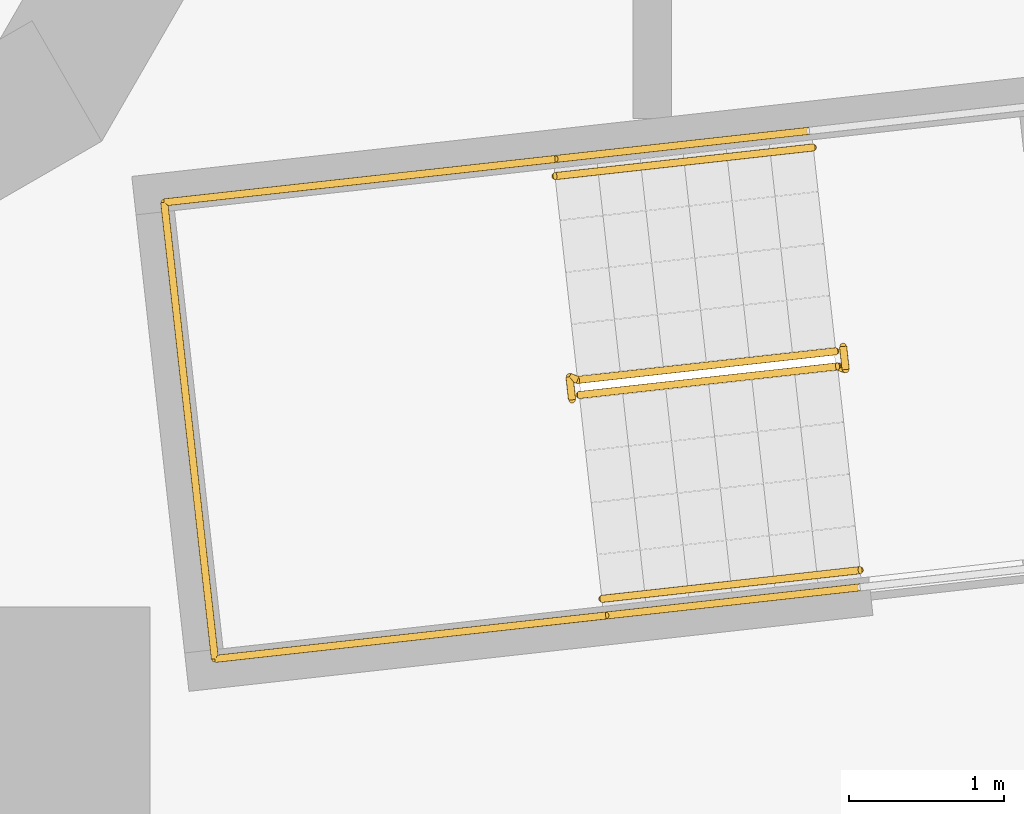
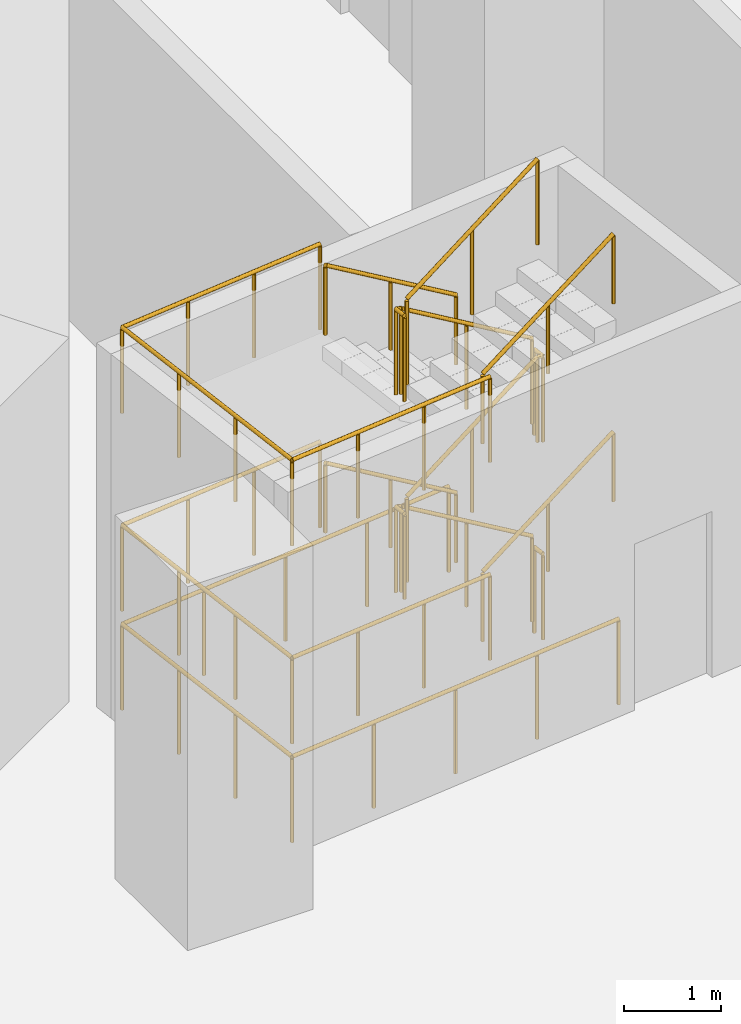
# One storey, part 14 of 20: 12 railings.
"""IFC4 building model written with IfcOpenShell, lengths in metres."""

from ifc_helpers import new_model, si_unit, direction, frame, origin, origin_2d, place, context, subcontext, project, spatial, circle, extrude, material, type_object, element, save


model = new_model("IFC4")

# Units and contexts
model_context = context("Model", 3, precision=1e-05, world=origin(), true_north=direction((0.0, 1.0)))
body_context = subcontext(model_context, "Body", "Model", "MODEL_VIEW")
ifc_project = project(units=[si_unit("LENGTHUNIT", "METRE"), si_unit("AREAUNIT", "SQUARE_METRE"), si_unit("VOLUMEUNIT", "CUBIC_METRE"), si_unit("PLANEANGLEUNIT", "RADIAN"), si_unit("MASSUNIT", "GRAM", prefix="KILO")], contexts=[model_context])

# Site, building, storey
site_placement = place(None, origin())
site = spatial("IfcSite", under=ifc_project, at=site_placement, CompositionType="ELEMENT")
building_placement = place(site_placement, origin())
building = spatial("IfcBuilding", under=site, at=building_placement, Name="Cantera Rosa Tower", CompositionType="ELEMENT")
storey_placement = place(building_placement, frame((0.0, 0.0, -5.0)))
storey = spatial("IfcBuildingStorey", under=building, at=storey_placement, Name="B1", CompositionType="ELEMENT", Elevation=-5.0)

# Railings
ifc_material_1 = material(Name="Steel S355J2 (EN 10025-2)", Category="steel")
railing_type_1 = type_object("IfcRailingType", Name="STAIR GUARD 1100", PredefinedType="GUARDRAIL", material=ifc_material_1)
railing_1_placement = place(storey_placement, frame((13.5859375, -10.19677734375, 0.178466796875)))
element("IfcRailing", 1, at=railing_1_placement, inside=storey, type_object=railing_type_1, Name="B1 ST-14 stair guard 1", PredefinedType="GUARDRAIL", context=body_context, shape_type="SweptSolid", body=[
    extrude(circle(Radius=0.02392578125, at=origin_2d()), frame((0.0, 0.0, 1.076171875), z_axis=(-0.837950904326, -0.092996744609, 0.537763784046), x_axis=(0.110303920128, -0.993897904819, 0.0)), (0.0, 0.0, 1.0), 1.99267578125),
    extrude(circle(Radius=0.02392578125, at=origin_2d()), frame((-1.669677734375, -0.185302734375, 2.1474609375), z_axis=(-0.932897555956, 0.360141847183, 0.0), x_axis=(-0.360141847183, -0.932897555956, 0.0)), (0.0, 0.0, 1.0), 0.05615234375),
    extrude(circle(Radius=0.02392578125, at=origin_2d()), frame((-1.72216796875, -0.1650390625, 2.1474609375), z_axis=(0.110610055588, -0.993863881828, 0.0), x_axis=(0.993863881828, 0.110610055588, 0.0)), (0.0, 0.0, 1.0), 0.150146484375),
    extrude(circle(Radius=0.02099609375, at=origin_2d()), origin(), (0.0, 0.0, 1.0), 1.052001953125),
    extrude(circle(Radius=0.02099609375, at=origin_2d()), frame((-0.8349609375, -0.0927734375, 0.53564453125)), (0.0, 0.0, 1.0), 1.052001953125),
    extrude(circle(Radius=0.02099609375, at=origin_2d()), frame((-1.669677734375, -0.185302734375, 1.071533203125)), (0.0, 0.0, 1.0), 1.052001953125),
    extrude(circle(Radius=0.02099609375, at=origin_2d()), frame((-1.72216796875, -0.1650390625, 1.071533203125)), (0.0, 0.0, 1.0), 1.052001953125),
    extrude(circle(Radius=0.02099609375, at=origin_2d()), frame((-1.70556640625, -0.314208984375, 1.071533203125)), (0.0, 0.0, 1.0), 1.052001953125),
])
railing_2_placement = place(storey_placement, frame((11.927001953125, -10.4794921875, 1.428466796875)))
element("IfcRailing", 2, at=railing_2_placement, inside=storey, type_object=railing_type_1, Name="B1 ST-14 stair guard 2", PredefinedType="GUARDRAIL", context=body_context, shape_type="SweptSolid", body=[
    extrude(circle(Radius=0.02392578125, at=origin_2d()), frame((0.0, 0.0, 1.076171875), z_axis=(0.837987391448, 0.092987197384, 0.537708576179), x_axis=(-0.11028798999, 0.993899672635, 0.0)), (0.0, 0.0, 1.0), 1.99267578125),
    extrude(circle(Radius=0.02392578125, at=origin_2d()), frame((1.669921875, 0.185302734375, 2.1474609375), z_axis=(0.931434406233, -0.363909256389, 0.0), x_axis=(0.363909256389, 0.931434406233, 0.0)), (0.0, 0.0, 1.0), 0.056396484375),
    extrude(circle(Radius=0.02392578125, at=origin_2d()), frame((1.722412109375, 0.164794921875, 2.1474609375), z_axis=(-0.110610055588, 0.993863881828, 0.0), x_axis=(-0.993863881828, -0.110610055588, 0.0)), (0.0, 0.0, 1.0), 0.150146484375),
    extrude(circle(Radius=0.02099609375, at=origin_2d()), origin(), (0.0, 0.0, 1.0), 1.052001953125),
    extrude(circle(Radius=0.02099609375, at=origin_2d()), frame((0.8349609375, 0.0927734375, 0.53564453125)), (0.0, 0.0, 1.0), 1.052001953125),
    extrude(circle(Radius=0.02099609375, at=origin_2d()), frame((1.669921875, 0.185302734375, 1.071533203125)), (0.0, 0.0, 1.0), 1.052001953125),
    extrude(circle(Radius=0.02099609375, at=origin_2d()), frame((1.722412109375, 0.164794921875, 1.071533203125)), (0.0, 0.0, 1.0), 1.052001953125),
    extrude(circle(Radius=0.02099609375, at=origin_2d()), frame((1.705810546875, 0.31396484375, 1.071533203125)), (0.0, 0.0, 1.0), 1.052001953125),
])
railing_3_placement = place(storey_placement, frame((13.5859375, -10.19677734375, 2.678466796875)))
element("IfcRailing", 3, at=railing_3_placement, inside=storey, type_object=railing_type_1, Name="B1 ST-14 stair guard 3", PredefinedType="GUARDRAIL", context=body_context, shape_type="SweptSolid", body=[
    extrude(circle(Radius=0.02392578125, at=origin_2d()), frame((0.0, 0.0, 1.076171875), z_axis=(-0.837950904326, -0.092996744609, 0.537763784046), x_axis=(0.110303920128, -0.993897904819, 0.0)), (0.0, 0.0, 1.0), 1.99267578125),
    extrude(circle(Radius=0.02392578125, at=origin_2d()), frame((-1.669677734375, -0.185302734375, 2.1474609375), z_axis=(-0.932897555956, 0.360141847183, 0.0), x_axis=(-0.360141847183, -0.932897555956, 0.0)), (0.0, 0.0, 1.0), 0.05615234375),
    extrude(circle(Radius=0.02392578125, at=origin_2d()), frame((-1.72216796875, -0.1650390625, 2.1474609375), z_axis=(0.110610055588, -0.993863881828, 0.0), x_axis=(0.993863881828, 0.110610055588, 0.0)), (0.0, 0.0, 1.0), 0.150146484375),
    extrude(circle(Radius=0.02099609375, at=origin_2d()), origin(), (0.0, 0.0, 1.0), 1.052001953125),
    extrude(circle(Radius=0.02099609375, at=origin_2d()), frame((-0.8349609375, -0.0927734375, 0.53564453125)), (0.0, 0.0, 1.0), 1.052001953125),
    extrude(circle(Radius=0.02099609375, at=origin_2d()), frame((-1.669677734375, -0.185302734375, 1.071533203125)), (0.0, 0.0, 1.0), 1.052001953125),
    extrude(circle(Radius=0.02099609375, at=origin_2d()), frame((-1.72216796875, -0.1650390625, 1.071533203125)), (0.0, 0.0, 1.0), 1.052001953125),
    extrude(circle(Radius=0.02099609375, at=origin_2d()), frame((-1.70556640625, -0.314208984375, 1.071533203125)), (0.0, 0.0, 1.0), 1.052001953125),
])
railing_4_placement = place(storey_placement, frame((11.927001953125, -10.4794921875, 3.928466796875)))
element("IfcRailing", 4, at=railing_4_placement, inside=storey, type_object=railing_type_1, Name="B1 ST-14 stair guard 4", PredefinedType="GUARDRAIL", context=body_context, shape_type="SweptSolid", body=[
    extrude(circle(Radius=0.02392578125, at=origin_2d()), frame((0.0, 0.0, 1.076171875), z_axis=(0.837987391448, 0.092987197384, 0.537708576179), x_axis=(-0.11028798999, 0.993899672635, 0.0)), (0.0, 0.0, 1.0), 1.99267578125),
    extrude(circle(Radius=0.02099609375, at=origin_2d()), origin(), (0.0, 0.0, 1.0), 1.052001953125),
    extrude(circle(Radius=0.02099609375, at=origin_2d()), frame((0.8349609375, 0.0927734375, 0.53564453125)), (0.0, 0.0, 1.0), 1.052001953125),
    extrude(circle(Radius=0.02099609375, at=origin_2d()), frame((1.669921875, 0.185302734375, 1.071533203125)), (0.0, 0.0, 1.0), 1.052001953125),
])
railing_5_placement = place(storey_placement, frame((13.6328125, -10.16552734375, 0.0)))
element("IfcRailing", 5, at=railing_5_placement, inside=storey, type_object=railing_type_1, Name="B1 ST-14 stair guard 5", PredefinedType="GUARDRAIL", context=body_context, shape_type="SweptSolid", body=[
    extrude(circle(Radius=0.02392578125, at=origin_2d()), frame((0.0, 0.0, 1.076171875), z_axis=(0.110610055588, -0.993863881828, 0.0), x_axis=(0.993863881828, 0.110610055588, 0.0)), (0.0, 0.0, 1.0), 0.150146484375),
    extrude(circle(Radius=0.02099609375, at=origin_2d()), origin(), (0.0, 0.0, 1.0), 1.052001953125),
    extrude(circle(Radius=0.02099609375, at=origin_2d()), frame((0.0166015625, -0.149169921875, 0.0)), (0.0, 0.0, 1.0), 1.052001953125),
])
railing_6_placement = place(storey_placement, frame((13.415771484375, -8.77099609375, 0.0)))
element("IfcRailing", 6, at=railing_6_placement, inside=storey, type_object=railing_type_1, Name="B1 ST-14 stair guard 6", PredefinedType="GUARDRAIL", context=body_context, shape_type="SweptSolid", body=[
    extrude(circle(Radius=0.02392578125, at=origin_2d()), frame((0.0, 0.0, 1.076171875), z_axis=(-0.9938957856, -0.110323013767, 0.0), x_axis=(0.110323013767, -0.9938957856, 0.0)), (0.0, 0.0, 1.0), 4.197998046875),
    extrude(circle(Radius=0.02392578125, at=origin_2d()), frame((-4.17236328125, -0.463134765625, 1.076171875), z_axis=(0.110314237986, -0.993896759678, 0.0), x_axis=(0.993896759678, 0.110314237986, 0.0)), (0.0, 0.0, 1.0), 2.969970703125),
    extrude(circle(Radius=0.02392578125, at=origin_2d()), frame((-3.8447265625, -3.4150390625, 1.076171875), z_axis=(0.9938957856, 0.110323013767, 0.0), x_axis=(-0.110323013767, 0.9938957856, 0.0)), (0.0, 0.0, 1.0), 4.197998046875),
    extrude(circle(Radius=0.02099609375, at=origin_2d()), origin(), (0.0, 0.0, 1.0), 1.052001953125),
    extrude(circle(Radius=0.02099609375, at=origin_2d()), frame((-1.04296875, -0.11572265625, 0.0)), (0.0, 0.0, 1.0), 1.052001953125),
    extrude(circle(Radius=0.02099609375, at=origin_2d()), frame((-2.086181640625, -0.2314453125, 0.0)), (0.0, 0.0, 1.0), 1.052001953125),
    extrude(circle(Radius=0.02099609375, at=origin_2d()), frame((-3.12939453125, -0.347412109375, 0.0)), (0.0, 0.0, 1.0), 1.052001953125),
    extrude(circle(Radius=0.02099609375, at=origin_2d()), frame((-4.17236328125, -0.463134765625, 0.0)), (0.0, 0.0, 1.0), 1.052001953125),
    extrude(circle(Radius=0.02099609375, at=origin_2d()), frame((-4.063232421875, -1.447021484375, 0.0)), (0.0, 0.0, 1.0), 1.052001953125),
    extrude(circle(Radius=0.02099609375, at=origin_2d()), frame((-3.953857421875, -2.43115234375, 0.0)), (0.0, 0.0, 1.0), 1.052001953125),
    extrude(circle(Radius=0.02099609375, at=origin_2d()), frame((-3.8447265625, -3.4150390625, 0.0)), (0.0, 0.0, 1.0), 1.052001953125),
    extrude(circle(Radius=0.02099609375, at=origin_2d()), frame((-2.8017578125, -3.29931640625, 0.0)), (0.0, 0.0, 1.0), 1.052001953125),
    extrude(circle(Radius=0.02099609375, at=origin_2d()), frame((-1.758544921875, -3.18359375, 0.0)), (0.0, 0.0, 1.0), 1.052001953125),
    extrude(circle(Radius=0.02099609375, at=origin_2d()), frame((-0.71533203125, -3.067626953125, 0.0)), (0.0, 0.0, 1.0), 1.052001953125),
    extrude(circle(Radius=0.02099609375, at=origin_2d()), frame((0.32763671875, -2.951904296875, 0.0)), (0.0, 0.0, 1.0), 1.052001953125),
])
railing_7_placement = place(storey_placement, frame((11.769775390625, -8.95361328125, 1.25)))
element("IfcRailing", 7, at=railing_7_placement, inside=storey, type_object=railing_type_1, Name="B1 ST-14 stair guard 7", PredefinedType="GUARDRAIL", context=body_context, shape_type="SweptSolid", body=[
    extrude(circle(Radius=0.02392578125, at=origin_2d()), frame((0.0, 0.0, 1.076171875), z_axis=(-0.993891931048, -0.110357733743, 0.0), x_axis=(0.110357733743, -0.993891931048, 0.0)), (0.0, 0.0, 1.0), 2.5419921875),
    extrude(circle(Radius=0.02392578125, at=origin_2d()), frame((-2.5263671875, -0.280517578125, 1.076171875), z_axis=(0.110314237986, -0.993896759678, 0.0), x_axis=(0.993896759678, 0.110314237986, 0.0)), (0.0, 0.0, 1.0), 2.969970703125),
    extrude(circle(Radius=0.02392578125, at=origin_2d()), frame((-2.19873046875, -3.232421875, 1.076171875), z_axis=(0.993891931048, 0.110357733743, 0.0), x_axis=(-0.110357733743, 0.993891931048, 0.0)), (0.0, 0.0, 1.0), 2.5419921875),
    extrude(circle(Radius=0.02099609375, at=origin_2d()), origin(), (0.0, 0.0, 1.0), 1.052001953125),
    extrude(circle(Radius=0.02099609375, at=origin_2d()), frame((-0.842041015625, -0.093505859375, 0.0)), (0.0, 0.0, 1.0), 1.052001953125),
    extrude(circle(Radius=0.02099609375, at=origin_2d()), frame((-1.684326171875, -0.18701171875, 0.0)), (0.0, 0.0, 1.0), 1.052001953125),
    extrude(circle(Radius=0.02099609375, at=origin_2d()), frame((-2.5263671875, -0.280517578125, 0.0)), (0.0, 0.0, 1.0), 1.052001953125),
    extrude(circle(Radius=0.02099609375, at=origin_2d()), frame((-2.417236328125, -1.264404296875, 0.0)), (0.0, 0.0, 1.0), 1.052001953125),
    extrude(circle(Radius=0.02099609375, at=origin_2d()), frame((-2.307861328125, -2.24853515625, 0.0)), (0.0, 0.0, 1.0), 1.052001953125),
    extrude(circle(Radius=0.02099609375, at=origin_2d()), frame((-2.19873046875, -3.232421875, 0.0)), (0.0, 0.0, 1.0), 1.052001953125),
    extrude(circle(Radius=0.02099609375, at=origin_2d()), frame((-1.356689453125, -3.138916015625, 0.0)), (0.0, 0.0, 1.0), 1.052001953125),
    extrude(circle(Radius=0.02099609375, at=origin_2d()), frame((-0.514404296875, -3.04541015625, 0.0)), (0.0, 0.0, 1.0), 1.052001953125),
    extrude(circle(Radius=0.02099609375, at=origin_2d()), frame((0.32763671875, -2.951904296875, 0.0)), (0.0, 0.0, 1.0), 1.052001953125),
])
railing_8_placement = place(storey_placement, frame((11.769775390625, -8.95361328125, 3.75)))
element("IfcRailing", 8, at=railing_8_placement, inside=storey, type_object=railing_type_1, Name="B1 ST-14 stair guard 9", PredefinedType="GUARDRAIL", context=body_context, shape_type="SweptSolid", body=[
    extrude(circle(Radius=0.02392578125, at=origin_2d()), frame((0.0, 0.0, 1.076171875), z_axis=(-0.993891931048, -0.110357733743, 0.0), x_axis=(0.110357733743, -0.993891931048, 0.0)), (0.0, 0.0, 1.0), 2.5419921875),
    extrude(circle(Radius=0.02392578125, at=origin_2d()), frame((-2.5263671875, -0.280517578125, 1.076171875), z_axis=(0.110314237986, -0.993896759678, 0.0), x_axis=(0.993896759678, 0.110314237986, 0.0)), (0.0, 0.0, 1.0), 2.969970703125),
    extrude(circle(Radius=0.02392578125, at=origin_2d()), frame((-2.19873046875, -3.232421875, 1.076171875), z_axis=(0.993891931048, 0.110357733743, 0.0), x_axis=(-0.110357733743, 0.993891931048, 0.0)), (0.0, 0.0, 1.0), 2.5419921875),
    extrude(circle(Radius=0.02099609375, at=origin_2d()), origin(), (0.0, 0.0, 1.0), 1.052001953125),
    extrude(circle(Radius=0.02099609375, at=origin_2d()), frame((-0.842041015625, -0.093505859375, 0.0)), (0.0, 0.0, 1.0), 1.052001953125),
    extrude(circle(Radius=0.02099609375, at=origin_2d()), frame((-1.684326171875, -0.18701171875, 0.0)), (0.0, 0.0, 1.0), 1.052001953125),
    extrude(circle(Radius=0.02099609375, at=origin_2d()), frame((-2.5263671875, -0.280517578125, 0.0)), (0.0, 0.0, 1.0), 1.052001953125),
    extrude(circle(Radius=0.02099609375, at=origin_2d()), frame((-2.417236328125, -1.264404296875, 0.0)), (0.0, 0.0, 1.0), 1.052001953125),
    extrude(circle(Radius=0.02099609375, at=origin_2d()), frame((-2.307861328125, -2.24853515625, 0.0)), (0.0, 0.0, 1.0), 1.052001953125),
    extrude(circle(Radius=0.02099609375, at=origin_2d()), frame((-2.19873046875, -3.232421875, 0.0)), (0.0, 0.0, 1.0), 1.052001953125),
    extrude(circle(Radius=0.02099609375, at=origin_2d()), frame((-1.356689453125, -3.138916015625, 0.0)), (0.0, 0.0, 1.0), 1.052001953125),
    extrude(circle(Radius=0.02099609375, at=origin_2d()), frame((-0.514404296875, -3.04541015625, 0.0)), (0.0, 0.0, 1.0), 1.052001953125),
    extrude(circle(Radius=0.02099609375, at=origin_2d()), frame((0.32763671875, -2.951904296875, 0.0)), (0.0, 0.0, 1.0), 1.052001953125),
])
ifc_material_2 = material(Name="Steel S355J2 (EN 10025-2)", Category="steel")
railing_type_2 = type_object("IfcRailingType", Name="STAIR HANDRAIL 900", PredefinedType="HANDRAIL", material=ifc_material_2)
railing_9_placement = place(storey_placement, frame((13.439697265625, -8.87890625, 0.178466796875)))
element("IfcRailing", 9, at=railing_9_placement, inside=storey, type_object=railing_type_2, Name="B1 ST-14 stair handrail 1", PredefinedType="HANDRAIL", context=body_context, shape_type="SweptSolid", body=[
    extrude(circle(Radius=0.02392578125, at=origin_2d()), frame((0.0, 0.0, 0.8759765625), z_axis=(-0.837950904326, -0.092996744609, 0.537763784046), x_axis=(0.110303920128, -0.993897904819, 0.0)), (0.0, 0.0, 1.0), 1.99267578125),
    extrude(circle(Radius=0.02099609375, at=origin_2d()), origin(), (0.0, 0.0, 1.0), 0.851806640625),
    extrude(circle(Radius=0.02099609375, at=origin_2d()), frame((-0.8349609375, -0.0927734375, 0.53564453125)), (0.0, 0.0, 1.0), 0.851806640625),
    extrude(circle(Radius=0.02099609375, at=origin_2d()), frame((-1.669677734375, -0.185302734375, 1.071533203125)), (0.0, 0.0, 1.0), 0.851806640625),
])
railing_10_placement = place(storey_placement, frame((12.073486328125, -11.797607421875, 1.428466796875)))
element("IfcRailing", 10, at=railing_10_placement, inside=storey, type_object=railing_type_2, Name="B1 ST-14 stair handrail 2", PredefinedType="HANDRAIL", context=body_context, shape_type="SweptSolid", body=[
    extrude(circle(Radius=0.02392578125, at=origin_2d()), frame((0.0, 0.0, 0.8759765625), z_axis=(0.837941350202, 0.09311820824, 0.537757652586), x_axis=(-0.110447476434, 0.993881962282, 0.0)), (0.0, 0.0, 1.0), 1.99267578125),
    extrude(circle(Radius=0.02099609375, at=origin_2d()), origin(), (0.0, 0.0, 1.0), 0.851806640625),
    extrude(circle(Radius=0.02099609375, at=origin_2d()), frame((0.8349609375, 0.0927734375, 0.53564453125)), (0.0, 0.0, 1.0), 0.851806640625),
    extrude(circle(Radius=0.02099609375, at=origin_2d()), frame((1.669677734375, 0.185546875, 1.071533203125)), (0.0, 0.0, 1.0), 0.851806640625),
])
railing_11_placement = place(storey_placement, frame((13.439697265625, -8.87890625, 2.678466796875)))
element("IfcRailing", 11, at=railing_11_placement, inside=storey, type_object=railing_type_2, Name="B1 ST-14 stair handrail 3", PredefinedType="HANDRAIL", context=body_context, shape_type="SweptSolid", body=[
    extrude(circle(Radius=0.02392578125, at=origin_2d()), frame((0.0, 0.0, 0.8759765625), z_axis=(-0.837950904326, -0.092996744609, 0.537763784046), x_axis=(0.110303920128, -0.993897904819, 0.0)), (0.0, 0.0, 1.0), 1.99267578125),
    extrude(circle(Radius=0.02099609375, at=origin_2d()), origin(), (0.0, 0.0, 1.0), 0.851806640625),
    extrude(circle(Radius=0.02099609375, at=origin_2d()), frame((-0.8349609375, -0.0927734375, 0.53564453125)), (0.0, 0.0, 1.0), 0.851806640625),
    extrude(circle(Radius=0.02099609375, at=origin_2d()), frame((-1.669677734375, -0.185302734375, 1.071533203125)), (0.0, 0.0, 1.0), 0.851806640625),
])
railing_12_placement = place(storey_placement, frame((12.073486328125, -11.797607421875, 3.928466796875)))
element("IfcRailing", 12, at=railing_12_placement, inside=storey, type_object=railing_type_2, Name="B1 ST-14 stair handrail 4", PredefinedType="HANDRAIL", context=body_context, shape_type="SweptSolid", body=[
    extrude(circle(Radius=0.02392578125, at=origin_2d()), frame((0.0, 0.0, 0.8759765625), z_axis=(0.837941350202, 0.09311820824, 0.537757652586), x_axis=(-0.110447476434, 0.993881962282, 0.0)), (0.0, 0.0, 1.0), 1.99267578125),
    extrude(circle(Radius=0.02099609375, at=origin_2d()), origin(), (0.0, 0.0, 1.0), 0.851806640625),
    extrude(circle(Radius=0.02099609375, at=origin_2d()), frame((0.8349609375, 0.0927734375, 0.53564453125)), (0.0, 0.0, 1.0), 0.851806640625),
    extrude(circle(Radius=0.02099609375, at=origin_2d()), frame((1.669677734375, 0.185546875, 1.071533203125)), (0.0, 0.0, 1.0), 0.851806640625),
])

save(model, "model.ifc")
